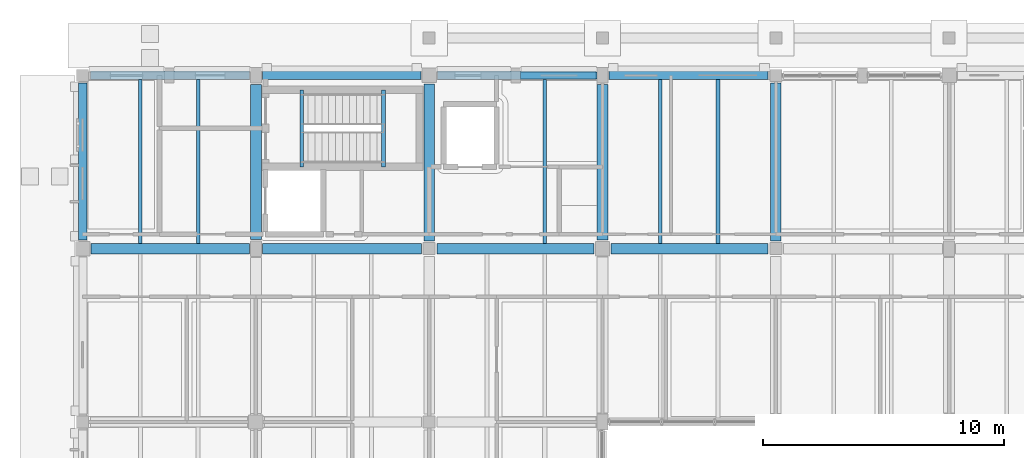
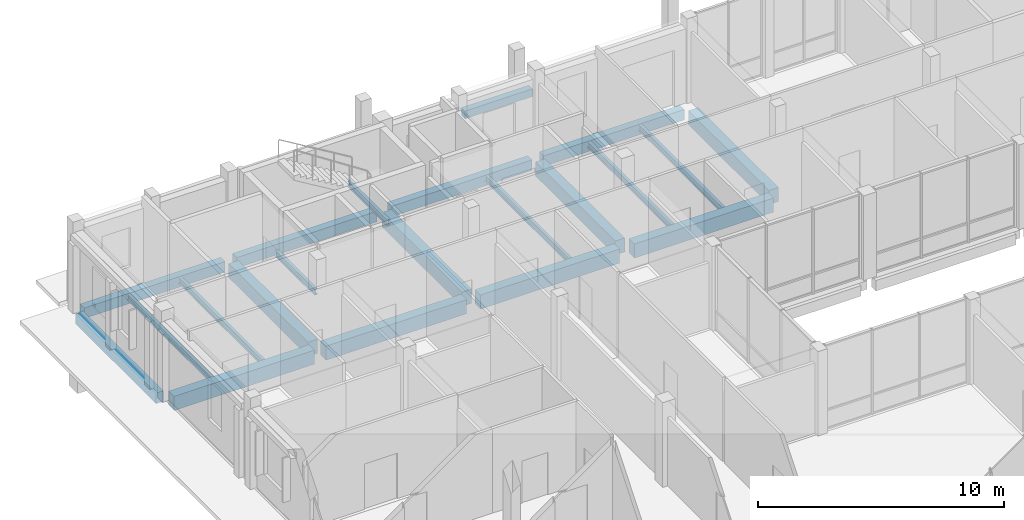
# One storey, part 33 of 104: 21 beams.
"""IFC4 building model written with IfcOpenShell, lengths in metres."""

from ifc_helpers import new_model, si_unit, direction, frame, origin, origin_2d, place, context, subcontext, project, spatial, rectangle, i_section, extrude, material, material_profile, profile_set, type_object, element, save


model = new_model("IFC4")

# Units and contexts
model_context = context("Model", 3, precision=1e-05, world=origin(), true_north=direction((0.0, 1.0)))
body_context = subcontext(model_context, "Body", "Model", "MODEL_VIEW")
ifc_project = project(units=[si_unit("LENGTHUNIT", "METRE"), si_unit("AREAUNIT", "SQUARE_METRE"), si_unit("VOLUMEUNIT", "CUBIC_METRE"), si_unit("PLANEANGLEUNIT", "RADIAN"), si_unit("MASSUNIT", "GRAM", prefix="KILO")], contexts=[model_context])

# Site, building, storey
site_placement = place(None, origin())
site = spatial("IfcSite", under=ifc_project, at=site_placement, CompositionType="ELEMENT")
building_placement = place(site_placement, origin())
building = spatial("IfcBuilding", under=site, at=building_placement, Name="Hawrajan Terrace Health Centre", CompositionType="ELEMENT")
storey_placement = place(building_placement, origin())
storey = spatial("IfcBuildingStorey", under=building, at=storey_placement, Name="L00", CompositionType="ELEMENT", Elevation=0.0)

# Beams
ifc_material_1 = material(Name="Concrete C40/50", Category="concrete")
ifc_material_profile_1 = material_profile(ifc_material_1, rectangle(XDim=0.449951171875, YDim=0.699951171875, at=origin_2d()), Name="RC BM 450x700")
ifc_profile_set_1 = profile_set([ifc_material_profile_1], Name="Concrete C40/50")
beam_type_1 = type_object("IfcBeamType", Name="RCGirder_450x700", PredefinedType="BEAM", material=ifc_profile_set_1)
beam_1_placement = place(storey_placement, frame((4.949951171875, 52.60009765625, -0.64990234375), z_axis=(1.0, 0.0, 0.0), x_axis=(0.0, 1.0, 0.0)))
element("IfcBeam", 1, at=beam_1_placement, inside=storey, type_object=beam_type_1, Name="Beam BM-X-L00-W-01-Y7", PredefinedType="BEAM", context=body_context, shape_type="SweptSolid", body=[
    extrude(rectangle(XDim=0.449951171875, YDim=0.699951171875, at=origin_2d()), origin(), (0.0, 0.0, 1.0), 6.574951171875),
])
beam_2_placement = place(storey_placement, frame((12.074951171875, 52.60009765625, -0.64990234375), z_axis=(1.0, 0.0, 0.0), x_axis=(0.0, 1.0, 0.0)))
element("IfcBeam", 2, at=beam_2_placement, inside=storey, type_object=beam_type_1, Name="Beam BM-X-L00-W-02-Y7", PredefinedType="BEAM", context=body_context, shape_type="SweptSolid", body=[
    extrude(rectangle(XDim=0.449951171875, YDim=0.699951171875, at=origin_2d()), origin(), (0.0, 0.0, 1.0), 6.60009765625),
])
beam_3_placement = place(storey_placement, frame((19.324951171875, 52.60009765625, -0.64990234375), z_axis=(1.0, 0.0, 0.0), x_axis=(0.0, 1.0, 0.0)))
element("IfcBeam", 3, at=beam_3_placement, inside=storey, type_object=beam_type_1, Name="Beam BM-X-L00-W-03-Y7", PredefinedType="BEAM", context=body_context, shape_type="SweptSolid", body=[
    extrude(rectangle(XDim=0.449951171875, YDim=0.699951171875, at=origin_2d()), origin(), (0.0, 0.0, 1.0), 6.525146484375),
])
beam_4_placement = place(storey_placement, frame((26.550048828125, 52.60009765625, -0.64990234375), z_axis=(1.0, 0.0, 0.0), x_axis=(0.0, 1.0, 0.0)))
element("IfcBeam", 4, at=beam_4_placement, inside=storey, type_object=beam_type_1, Name="Beam BM-X-L00-W-04-Y7", PredefinedType="BEAM", context=body_context, shape_type="SweptSolid", body=[
    extrude(rectangle(XDim=0.449951171875, YDim=0.699951171875, at=origin_2d()), origin(), (0.0, 0.0, 1.0), 6.52490234375),
])
beam_5_placement = place(storey_placement, frame((11.800048828125, 52.97509765625, -0.64990234375), z_axis=(0.0, 1.0, 0.0), x_axis=(-1.0, 0.0, 0.0)))
element("IfcBeam", 5, at=beam_5_placement, inside=storey, type_object=beam_type_1, Name="Beam BM-Y-L00-W-X02-7", PredefinedType="BEAM", context=body_context, shape_type="SweptSolid", body=[
    extrude(rectangle(XDim=0.449951171875, YDim=0.699951171875, at=origin_2d()), origin(), (0.0, 0.0, 1.0), 6.449951171875),
])
beam_6_placement = place(storey_placement, frame((19.0, 52.925048828125, -0.64990234375), z_axis=(0.0, 1.0, 0.0), x_axis=(-1.0, 0.0, 0.0)))
element("IfcBeam", 6, at=beam_6_placement, inside=storey, type_object=beam_type_1, Name="Beam BM-Y-L00-W-X03-7", PredefinedType="BEAM", context=body_context, shape_type="SweptSolid", body=[
    extrude(rectangle(XDim=0.449951171875, YDim=0.699951171875, at=origin_2d()), origin(), (0.0, 0.0, 1.0), 6.52490234375),
])
beam_7_placement = place(storey_placement, frame((26.199951171875, 52.949951171875, -0.64990234375), z_axis=(0.0, 1.0, 0.0), x_axis=(-1.0, 0.0, 0.0)))
element("IfcBeam", 7, at=beam_7_placement, inside=storey, type_object=beam_type_1, Name="Beam BM-Y-L00-W-X04-7", PredefinedType="BEAM", context=body_context, shape_type="SweptSolid", body=[
    extrude(rectangle(XDim=0.449951171875, YDim=0.699951171875, at=origin_2d()), origin(), (0.0, 0.0, 1.0), 6.47509765625),
])
beam_8_placement = place(storey_placement, frame((33.39990234375, 52.925048828125, -0.64990234375), z_axis=(0.0, 1.0, 0.0), x_axis=(-1.0, 0.0, 0.0)))
element("IfcBeam", 8, at=beam_8_placement, inside=storey, type_object=beam_type_1, Name="Beam BM-Y-L00-W-X05-7", PredefinedType="BEAM", context=body_context, shape_type="SweptSolid", body=[
    extrude(rectangle(XDim=0.449951171875, YDim=0.699951171875, at=origin_2d()), origin(), (0.0, 0.0, 1.0), 6.550048828125),
])
ifc_material_profile_2 = material_profile(ifc_material_1, rectangle(XDim=0.300048828125, YDim=0.3798828125, at=origin_2d()), Name="RC LN 300x380")
ifc_profile_set_2 = profile_set([ifc_material_profile_2], Name="Concrete C40/50")
beam_type_2 = type_object("IfcBeamType", Name="RCLintel_300x380", PredefinedType="LINTEL", material=ifc_profile_set_2)
beam_9_placement = place(storey_placement, frame((22.800048828125, 59.800048828125, 3.0048828125), z_axis=(1.0, 0.0, 0.0), x_axis=(0.0, 1.0, 0.0)))
element("IfcBeam", 9, at=beam_9_placement, inside=storey, type_object=beam_type_2, Name="Window lintel LNT-L00-018", PredefinedType="LINTEL", context=body_context, shape_type="SweptSolid", body=[
    extrude(rectangle(XDim=0.300048828125, YDim=0.3798828125, at=origin_2d()), origin(), (0.0, 0.0, 1.0), 3.175048828125),
])
ifc_material_profile_3 = material_profile(ifc_material_1, rectangle(XDim=0.35009765625, YDim=0.52001953125, at=origin_2d()), Name="RC SP 350x520")
ifc_profile_set_3 = profile_set([ifc_material_profile_3], Name="Concrete C40/50")
beam_type_3 = type_object("IfcBeamType", Name="RCSpandrel_350x520", PredefinedType="SPANDREL", material=ifc_profile_set_3)
beam_10_placement = place(storey_placement, frame((4.925048828125, 59.800048828125, -0.56005859375), z_axis=(1.0, 0.0, 0.0), x_axis=(0.0, 1.0, 0.0)))
element("IfcBeam", 10, at=beam_10_placement, inside=storey, type_object=beam_type_3, Name="Beam BM-X-L00-W-01-Y8", PredefinedType="SPANDREL", context=body_context, shape_type="SweptSolid", body=[
    extrude(rectangle(XDim=0.35009765625, YDim=0.52001953125, at=origin_2d()), origin(), (0.0, 0.0, 1.0), 6.599853515625),
])
for number, where, z_axis, x_axis, name in (
    (11, (12.074951171875, 59.800048828125, -0.56005859375), (1.0, 0.0, 0.0), (0.0, 1.0, 0.0), "Beam BM-X-L00-W-02-Y8"),
    (12, (19.35009765625, 59.800048828125, -0.56005859375), (1.0, 0.0, 0.0), (0.0, 1.0, 0.0), "Beam BM-X-L00-W-03-Y8"),
):
    element("IfcBeam", number, at=place(storey_placement, frame(where, z_axis=z_axis, x_axis=x_axis)), inside=storey, type_object=beam_type_3, Name=name, PredefinedType="SPANDREL", context=body_context, shape_type="SweptSolid", body=[
        extrude(rectangle(XDim=0.35009765625, YDim=0.52001953125, at=origin_2d()), origin(), (0.0, 0.0, 1.0), 6.574951171875),
    ])
beam_11_placement = place(storey_placement, frame((26.47509765625, 59.800048828125, -0.56005859375), z_axis=(1.0, 0.0, 0.0), x_axis=(0.0, 1.0, 0.0)))
element("IfcBeam", 13, at=beam_11_placement, inside=storey, type_object=beam_type_3, Name="Beam BM-X-L00-W-04-Y8", PredefinedType="SPANDREL", context=body_context, shape_type="SweptSolid", body=[
    extrude(rectangle(XDim=0.35009765625, YDim=0.52001953125, at=origin_2d()), origin(), (0.0, 0.0, 1.0), 6.599853515625),
])
beam_12_placement = place(storey_placement, frame((4.60009765625, 52.949951171875, -0.56005859375), z_axis=(0.0, 1.0, 0.0), x_axis=(-1.0, 0.0, 0.0)))
element("IfcBeam", 14, at=beam_12_placement, inside=storey, type_object=beam_type_3, Name="Beam BM-Y-L00-W-X01-7", PredefinedType="SPANDREL", context=body_context, shape_type="SweptSolid", body=[
    extrude(rectangle(XDim=0.35009765625, YDim=0.52001953125, at=origin_2d()), origin(), (0.0, 0.0, 1.0), 6.525146484375),
])
ifc_material_2 = material(Name="Steel S355", Category="steel")
ifc_material_profile_4 = material_profile(ifc_material_2, i_section(OverallWidth=0.14990234375, OverallDepth=0.300048828125, WebThickness=0.007080078125, FlangeThickness=0.0107421875, FilletRadius=0.014892578125, at=origin_2d()), Name="IPE 300")
ifc_profile_set_4 = profile_set([ifc_material_profile_4], Name="Steel S355")
beam_type_4 = type_object("IfcBeamType", Name="SteelBeam_IPE300", PredefinedType="JOIST", material=ifc_profile_set_4)
for number, where, z_axis, x_axis, name in (
    (15, (7.0, 52.824951171875, -0.449951171875), (0.0, 1.0, 0.0), (-1.0, 0.0, 0.0), "Secondary joist JST-L00-W-01-7-1"),
    (16, (9.39990234375, 52.824951171875, -0.449951171875), (0.0, 1.0, 0.0), (-1.0, 0.0, 0.0), "Secondary joist JST-L00-W-01-7-2"),
    (17, (23.800048828125, 52.824951171875, -0.449951171875), (0.0, 1.0, 0.0), (-1.0, 0.0, 0.0), "Secondary joist JST-L00-W-03-7-2"),
    (18, (28.60009765625, 52.824951171875, -0.449951171875), (0.0, 1.0, 0.0), (-1.0, 0.0, 0.0), "Secondary joist JST-L00-W-04-7-1"),
    (19, (31.0, 52.824951171875, -0.449951171875), (0.0, 1.0, 0.0), (-1.0, 0.0, 0.0), "Secondary joist JST-L00-W-04-7-2"),
):
    element("IfcBeam", number, at=place(storey_placement, frame(where, z_axis=z_axis, x_axis=x_axis)), inside=storey, type_object=beam_type_4, Name=name, PredefinedType="JOIST", context=body_context, shape_type="SweptSolid", body=[
        extrude(i_section(OverallWidth=0.14990234375, OverallDepth=0.300048828125, WebThickness=0.007080078125, FlangeThickness=0.0107421875, FilletRadius=0.014892578125, at=origin_2d()), origin(), (0.0, 0.0, 1.0), 6.800048828125),
    ])
for number, where, z_axis, x_axis, name in (
    (20, (13.699951171875, 56.0, -0.3701171875), (0.0, 1.0, 0.0), (-1.0, 0.0, 0.0), "Stair landing trimmer ST-1-L00-B0"),
    (21, (17.10009765625, 56.0, 1.8798828125), (0.0, 1.0, 0.0), (-1.0, 0.0, 0.0), "Stair half-landing trimmer ST-1-L00-B1"),
):
    element("IfcBeam", number, at=place(storey_placement, frame(where, z_axis=z_axis, x_axis=x_axis)), inside=storey, type_object=beam_type_4, Name=name, PredefinedType="JOIST", context=body_context, shape_type="SweptSolid", body=[
        extrude(i_section(OverallWidth=0.14990234375, OverallDepth=0.300048828125, WebThickness=0.007080078125, FlangeThickness=0.0107421875, FilletRadius=0.014892578125, at=origin_2d()), origin(), (0.0, 0.0, 1.0), 3.199951171875),
    ])

save(model, "model.ifc")
